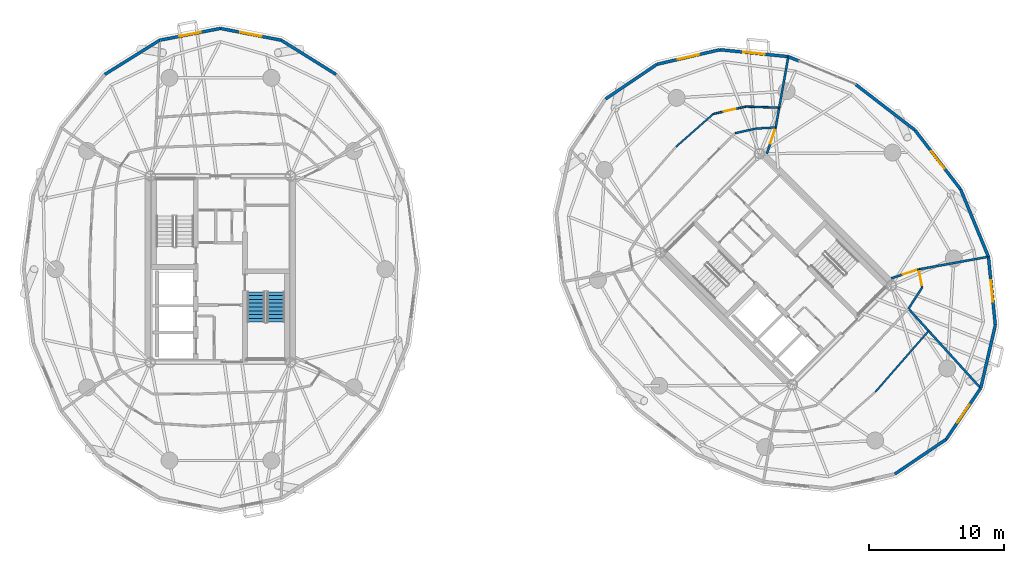
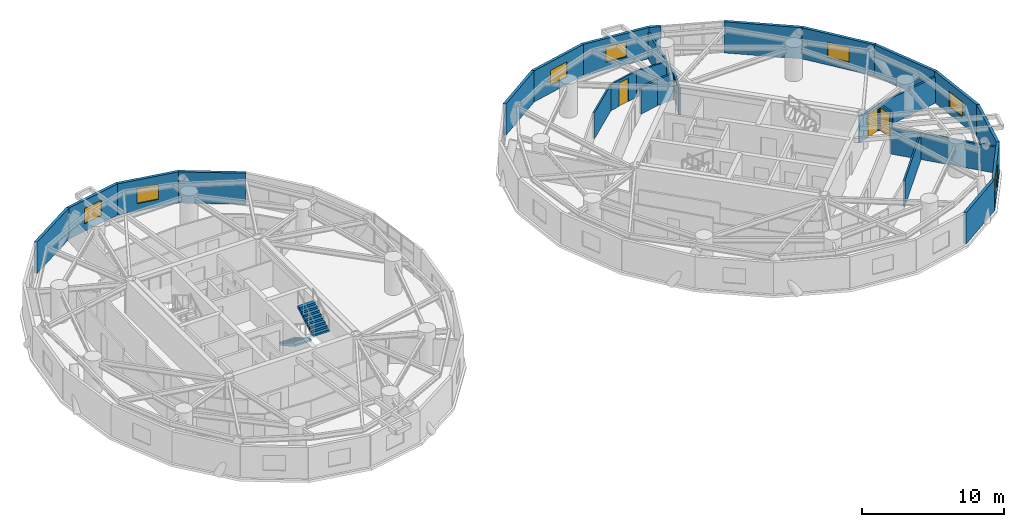
# One storey, part 14 of 17: 28 walls, 7 windows, 4 doors, 2 stair flights, 11 openings, 1 element without a shape of its own.
"""IFC4 building model written with IfcOpenShell, lengths in metres."""

from ifc_helpers import new_model, si_unit, direction, frame, frame_2d, origin, place, context, subcontext, project, spatial, polyline, rectangle, outline, extrude, source, transform, mapped, material, layer, layer_set, type_object, element, fill, aggregate, save


model = new_model("IFC4")

# Units and contexts
model_context = context("Model", 3, precision=1e-05, world=origin(), true_north=direction((0.0, 1.0)))
body_context = subcontext(model_context, "Body", "Model", "MODEL_VIEW")
ifc_project = project(units=[si_unit("LENGTHUNIT", "METRE"), si_unit("AREAUNIT", "SQUARE_METRE"), si_unit("VOLUMEUNIT", "CUBIC_METRE"), si_unit("PLANEANGLEUNIT", "RADIAN"), si_unit("MASSUNIT", "GRAM", prefix="KILO")], contexts=[model_context])

# Site, building, storey
site_placement = place(None, origin())
site = spatial("IfcSite", under=ifc_project, at=site_placement, CompositionType="ELEMENT")
building_placement = place(site_placement, origin())
building = spatial("IfcBuilding", under=site, at=building_placement, Name="Cununo Teusaquillo Station Towers", CompositionType="ELEMENT")
storey_placement = place(building_placement, frame((0.0, 0.0, 166.14990234375)))
storey = spatial("IfcBuildingStorey", under=building, at=storey_placement, Name="L52", CompositionType="ELEMENT", Elevation=166.14990234375)

# Wall
ifc_material_1 = material(Name="Precast concrete C40/50", Category="concrete")
ifc_layer_1 = layer(ifc_material_1, 0.219970703125)
ifc_layer_set_1 = layer_set([ifc_layer_1], Name="Precast concrete C40/50")
wall_type_1 = type_object("IfcWallType", Name="WL-EXT-220", PredefinedType="SOLIDWALL", material=ifc_layer_set_1)
wall_1_placement = place(storey_placement, frame((20.9853515625, 41.400390625, 0.0), z_axis=(0.0, 0.0, 1.0), x_axis=(0.848452391194, -0.529271707044, 0.0)))
element("IfcWall", 1, at=wall_1_placement, inside=storey, type_object=wall_type_1, Name="L52 Tower A Exterior Facade Wall C03", PredefinedType="SOLIDWALL", context=body_context, shape_type="SweptSolid", body=[
    extrude(rectangle(XDim=4.76904296875, YDim=0.219970703125, at=frame_2d((2.384521484375, 0.0))), origin(), (0.0, 0.0, 1.0), 2.675048828125),
])

# Wall, opening, window
wall_2_placement = place(storey_placement, frame((16.5, 42.27001953125, 0.0), z_axis=(0.0, 0.0, 1.0), x_axis=(0.981718699963, -0.190337579429, 0.0)))
wall_2 = element("IfcWall", 2, at=wall_2_placement, inside=storey, type_object=wall_type_1, Name="L52 Tower A Exterior Facade Wall C04", PredefinedType="SOLIDWALL", context=body_context, shape_type="SweptSolid", body=[
    extrude(rectangle(XDim=4.56884765625, YDim=0.219970703125, at=frame_2d((2.284423828125, 0.0))), origin(), (0.0, 0.0, 1.0), 2.675048828125),
])
shared_shape_1 = source(origin(), body_context, "Body", "SweptSolid", [
    extrude(rectangle(XDim=1.60009765625, YDim=1.300048828125, at=frame_2d((0.800048828125, 0.64990234375))), frame((0.0, 0.119873046875, 0.0), z_axis=(0.0, -1.0, 0.0), x_axis=(1.0, 0.0, 0.0)), (0.0, 0.0, 1.0), 0.239990234375),
])
opening_1_placement = place(wall_2_placement, frame((1.48388671875, 0.0, 0.64990234375)))
opening_1 = element("IfcOpeningElement", 3, at=opening_1_placement, cuts=wall_2, Name="Opening WN-03", PredefinedType="OPENING", context=body_context, shape_type="MappedRepresentation", body=[
    mapped(shared_shape_1, transform((0.0, 0.0, 0.0), x_axis=(1.0, 0.0, 0.0), y_axis=(0.0, 1.0, 0.0), z_axis=(0.0, 0.0, 1.0), scale=1.0)),
])
ifc_material_2 = material(Name="Ceramic-fritted dark low-E double glazing", Category="glass")
window_type = type_object("IfcWindowType", Name="WIN-CORN-1600", PartitioningType="SINGLE_PANEL", PredefinedType="WINDOW", material=ifc_material_2)
shared_shape_2 = source(origin(), body_context, "Body", "SweptSolid", [
    extrude(rectangle(XDim=1.60009765625, YDim=1.300048828125, at=frame_2d((0.800048828125, 0.64990234375))), frame((0.0, 0.030029296875, 0.0), z_axis=(0.0, -1.0, 0.0), x_axis=(1.0, 0.0, 0.0)), (0.0, 0.0, 1.0), 0.06005859375),
])
window_1_placement = place(opening_1_placement, origin())
window_1 = element("IfcWindow", 4, at=window_1_placement, inside=storey, type_object=window_type, Name="L52 Tower A Facade Window C04", OverallHeight=1.300048828125, OverallWidth=1.60009765625, PartitioningType="SINGLE_PANEL", PredefinedType="WINDOW", context=body_context, shape_type="MappedRepresentation", body=[
    mapped(shared_shape_2, transform((0.0, 0.0, 0.0), x_axis=(1.0, 0.0, 0.0), y_axis=(0.0, 1.0, 0.0), z_axis=(0.0, 0.0, 1.0), scale=1.0)),
])
fill(opening_1, window_1)

wall_3_placement = place(storey_placement, frame((12.0146484375, 41.400390625, 0.0), z_axis=(0.0, 0.0, 1.0), x_axis=(0.981718699963, 0.190337579429, 0.0)))
wall_3 = element("IfcWall", 5, at=wall_3_placement, inside=storey, type_object=wall_type_1, Name="L52 Tower A Exterior Facade Wall C05", PredefinedType="SOLIDWALL", context=body_context, shape_type="SweptSolid", body=[
    extrude(rectangle(XDim=4.56884765625, YDim=0.219970703125, at=frame_2d((2.284423828125, 0.0))), origin(), (0.0, 0.0, 1.0), 2.675048828125),
])
opening_2_placement = place(wall_3_placement, frame((1.48388671875, 0.0, 0.64990234375)))
opening_2 = element("IfcOpeningElement", 6, at=opening_2_placement, cuts=wall_3, Name="Opening WN-03", PredefinedType="OPENING", context=body_context, shape_type="MappedRepresentation", body=[
    mapped(shared_shape_1, transform((0.0, 0.0, 0.0), x_axis=(1.0, 0.0, 0.0), y_axis=(0.0, 1.0, 0.0), z_axis=(0.0, 0.0, 1.0), scale=1.0)),
])
window_2_placement = place(opening_2_placement, origin())
window_2 = element("IfcWindow", 7, at=window_2_placement, inside=storey, type_object=window_type, Name="L52 Tower A Facade Window C05", OverallHeight=1.300048828125, OverallWidth=1.60009765625, PartitioningType="SINGLE_PANEL", PredefinedType="WINDOW", context=body_context, shape_type="MappedRepresentation", body=[
    mapped(shared_shape_2, transform((0.0, 0.0, 0.0), x_axis=(1.0, 0.0, 0.0), y_axis=(0.0, 1.0, 0.0), z_axis=(0.0, 0.0, 1.0), scale=1.0)),
])
fill(opening_2, window_2)

# Walls
wall_4_placement = place(storey_placement, frame((7.96826171875, 38.876220703125, 0.0), z_axis=(0.0, 0.0, 1.0), x_axis=(0.848452391194, 0.529271707044, 0.0)))
element("IfcWall", 8, at=wall_4_placement, inside=storey, type_object=wall_type_1, Name="L52 Tower A Exterior Facade Wall C06", PredefinedType="SOLIDWALL", context=body_context, shape_type="SweptSolid", body=[
    extrude(rectangle(XDim=4.76904296875, YDim=0.219970703125, at=frame_2d((2.384521484375, 0.0))), origin(), (0.0, 0.0, 1.0), 2.675048828125),
])
wall_5_placement = place(storey_placement, frame((63.37841796875, 38.144287109375, 0.0), z_axis=(0.0, 0.0, 1.0), x_axis=(0.791982658323, -0.610543584779, 0.0)))
element("IfcWall", 9, at=wall_5_placement, inside=storey, type_object=wall_type_1, Name="L52 Tower B Exterior Facade Wall C00", PredefinedType="SOLIDWALL", context=body_context, shape_type="SweptSolid", body=[
    extrude(rectangle(XDim=5.537109375, YDim=0.219970703125, at=frame_2d((2.7685546875, 0.0))), origin(), (0.0, 0.0, 1.0), 2.675048828125),
])
wall_6_placement = place(storey_placement, frame((58.417724609375, 40.189208984375, 0.0), z_axis=(0.0, 0.0, 1.0), x_axis=(0.924556017656, -0.381046152345, 0.0)))
element("IfcWall", 10, at=wall_6_placement, inside=storey, type_object=wall_type_1, Name="L52 Tower B Column Pier Cladding Wall C01-PA", PredefinedType="SOLIDWALL", context=body_context, shape_type="SweptSolid", body=[
    extrude(rectangle(XDim=0.8701171875, YDim=0.219970703125, at=frame_2d((0.43505859375, 0.0))), origin(), (0.0, 0.0, 1.0), 2.675048828125),
])

# Wall, opening, window
wall_7_placement = place(storey_placement, frame((53.3671875, 40.6982421875, 0.0), z_axis=(0.0, 0.0, 1.0), x_axis=(0.994959267396, -0.100279889424, 0.0)))
wall_7 = element("IfcWall", 11, at=wall_7_placement, inside=storey, type_object=wall_type_1, Name="L52 Tower B Exterior Facade Wall C02", PredefinedType="SOLIDWALL", context=body_context, shape_type="SweptSolid", body=[
    extrude(rectangle(XDim=5.076171875, YDim=0.219970703125, at=frame_2d((2.5380859375, 0.0))), origin(), (0.0, 0.0, 1.0), 2.675048828125),
])
opening_3_placement = place(wall_7_placement, frame((1.738037109375, 0.0, 0.64990234375)))
opening_3 = element("IfcOpeningElement", 12, at=opening_3_placement, cuts=wall_7, Name="Opening WN-03", PredefinedType="OPENING", context=body_context, shape_type="MappedRepresentation", body=[
    mapped(shared_shape_1, transform((0.0, 0.0, 0.0), x_axis=(1.0, 0.0, 0.0), y_axis=(0.0, 1.0, 0.0), z_axis=(0.0, 0.0, 1.0), scale=1.0)),
])
window_3_placement = place(opening_3_placement, origin())
window_3 = element("IfcWindow", 13, at=window_3_placement, inside=storey, type_object=window_type, Name="L52 Tower B Facade Window C02", OverallHeight=1.300048828125, OverallWidth=1.60009765625, PartitioningType="SINGLE_PANEL", PredefinedType="WINDOW", context=body_context, shape_type="MappedRepresentation", body=[
    mapped(shared_shape_2, transform((0.0, 0.0, 0.0), x_axis=(1.0, 0.0, 0.0), y_axis=(0.0, 1.0, 0.0), z_axis=(0.0, 0.0, 1.0), scale=1.0)),
])
fill(opening_3, window_3)

wall_8_placement = place(storey_placement, frame((48.72119140625, 39.6220703125, 0.0), z_axis=(0.0, 0.0, 1.0), x_axis=(0.974206226622, 0.225659540039, 0.0)))
wall_8 = element("IfcWall", 14, at=wall_8_placement, inside=storey, type_object=wall_type_1, Name="L52 Tower B Exterior Facade Wall C03", PredefinedType="SOLIDWALL", context=body_context, shape_type="SweptSolid", body=[
    extrude(rectangle(XDim=4.76904296875, YDim=0.219970703125, at=frame_2d((2.384521484375, 0.0))), origin(), (0.0, 0.0, 1.0), 2.675048828125),
])
opening_4_placement = place(wall_8_placement, frame((1.5849609375, 0.0, 0.64990234375)))
opening_4 = element("IfcOpeningElement", 15, at=opening_4_placement, cuts=wall_8, Name="Opening WN-03", PredefinedType="OPENING", context=body_context, shape_type="MappedRepresentation", body=[
    mapped(shared_shape_1, transform((0.0, 0.0, 0.0), x_axis=(1.0, 0.0, 0.0), y_axis=(0.0, 1.0, 0.0), z_axis=(0.0, 0.0, 1.0), scale=1.0)),
])
window_4_placement = place(opening_4_placement, origin())
window_4 = element("IfcWindow", 16, at=window_4_placement, inside=storey, type_object=window_type, Name="L52 Tower B Facade Window C03", OverallHeight=1.300048828125, OverallWidth=1.60009765625, PartitioningType="SINGLE_PANEL", PredefinedType="WINDOW", context=body_context, shape_type="MappedRepresentation", body=[
    mapped(shared_shape_2, transform((0.0, 0.0, 0.0), x_axis=(1.0, 0.0, 0.0), y_axis=(0.0, 1.0, 0.0), z_axis=(0.0, 0.0, 1.0), scale=1.0)),
])
fill(opening_4, window_4)

# Walls
for number, where, z_axis, x_axis, name in (
    (17, (44.934814453125, 37.065185546875, 0.0), (0.0, 0.0, 1.0), (0.828739009952, 0.559635286042, 0.0), "L52 Tower B Exterior Facade Wall C04"),
    (18, (70.065185546875, 11.934814453125, 0.0), (0.0, 0.0, 1.0), (-0.828739009952, -0.559635286042, 0.0), "L52 Tower B Exterior Facade Wall C14"),
):
    element("IfcWall", number, at=place(storey_placement, frame(where, z_axis=z_axis, x_axis=x_axis)), inside=storey, type_object=wall_type_1, Name=name, PredefinedType="SOLIDWALL", context=body_context, shape_type="SweptSolid", body=[
        extrude(rectangle(XDim=4.56884765625, YDim=0.219970703125, at=frame_2d((2.284423828125, 0.0))), origin(), (0.0, 0.0, 1.0), 2.675048828125),
    ])

# Wall, opening, window
wall_9_placement = place(storey_placement, frame((72.6220703125, 15.72119140625, 0.0), z_axis=(0.0, 0.0, 1.0), x_axis=(-0.559635286042, -0.828739009952, 0.0)))
wall_9 = element("IfcWall", 19, at=wall_9_placement, inside=storey, type_object=wall_type_1, Name="L52 Tower B Exterior Facade Wall C15", PredefinedType="SOLIDWALL", context=body_context, shape_type="SweptSolid", body=[
    extrude(rectangle(XDim=4.56884765625, YDim=0.219970703125, at=frame_2d((2.284423828125, 0.0))), origin(), (0.0, 0.0, 1.0), 2.675048828125),
])
opening_5_placement = place(wall_9_placement, frame((1.48388671875, 0.0, 0.64990234375)))
opening_5 = element("IfcOpeningElement", 20, at=opening_5_placement, cuts=wall_9, Name="Opening WN-03", PredefinedType="OPENING", context=body_context, shape_type="MappedRepresentation", body=[
    mapped(shared_shape_1, transform((0.0, 0.0, 0.0), x_axis=(1.0, 0.0, 0.0), y_axis=(0.0, 1.0, 0.0), z_axis=(0.0, 0.0, 1.0), scale=1.0)),
])
window_5_placement = place(opening_5_placement, origin())
window_5 = element("IfcWindow", 21, at=window_5_placement, inside=storey, type_object=window_type, Name="L52 Tower B Facade Window C15", OverallHeight=1.300048828125, OverallWidth=1.60009765625, PartitioningType="SINGLE_PANEL", PredefinedType="WINDOW", context=body_context, shape_type="MappedRepresentation", body=[
    mapped(shared_shape_2, transform((0.0, 0.0, 0.0), x_axis=(1.0, 0.0, 0.0), y_axis=(0.0, 1.0, 0.0), z_axis=(0.0, 0.0, 1.0), scale=1.0)),
])
fill(opening_5, window_5)

# Wall
wall_10_placement = place(storey_placement, frame((73.6982421875, 20.3671875, 0.0), z_axis=(0.0, 0.0, 1.0), x_axis=(-0.225659540039, -0.974206226622, 0.0)))
element("IfcWall", 22, at=wall_10_placement, inside=storey, type_object=wall_type_1, Name="L52 Tower B Exterior Facade Wall C16", PredefinedType="SOLIDWALL", context=body_context, shape_type="SweptSolid", body=[
    extrude(rectangle(XDim=4.76904296875, YDim=0.219970703125, at=frame_2d((2.384521484375, 0.0))), origin(), (0.0, 0.0, 1.0), 2.675048828125),
])

# Wall, opening, window
wall_11_placement = place(storey_placement, frame((73.189208984375, 25.417724609375, 0.0), z_axis=(0.0, 0.0, 1.0), x_axis=(0.100279889424, -0.994959267396, 0.0)))
wall_11 = element("IfcWall", 23, at=wall_11_placement, inside=storey, type_object=wall_type_1, Name="L52 Tower B Exterior Facade Wall C17", PredefinedType="SOLIDWALL", context=body_context, shape_type="SweptSolid", body=[
    extrude(rectangle(XDim=5.076171875, YDim=0.219970703125, at=frame_2d((2.5380859375, 0.0))), origin(), (0.0, 0.0, 1.0), 2.675048828125),
])
opening_6_placement = place(wall_11_placement, frame((1.738037109375, 0.0, 0.64990234375)))
opening_6 = element("IfcOpeningElement", 24, at=opening_6_placement, cuts=wall_11, Name="Opening WN-03", PredefinedType="OPENING", context=body_context, shape_type="MappedRepresentation", body=[
    mapped(shared_shape_1, transform((0.0, 0.0, 0.0), x_axis=(1.0, 0.0, 0.0), y_axis=(0.0, 1.0, 0.0), z_axis=(0.0, 0.0, 1.0), scale=1.0)),
])
window_6_placement = place(opening_6_placement, origin())
window_6 = element("IfcWindow", 25, at=window_6_placement, inside=storey, type_object=window_type, Name="L52 Tower B Facade Window C17", OverallHeight=1.300048828125, OverallWidth=1.60009765625, PartitioningType="SINGLE_PANEL", PredefinedType="WINDOW", context=body_context, shape_type="MappedRepresentation", body=[
    mapped(shared_shape_2, transform((0.0, 0.0, 0.0), x_axis=(1.0, 0.0, 0.0), y_axis=(0.0, 1.0, 0.0), z_axis=(0.0, 0.0, 1.0), scale=1.0)),
])
fill(opening_6, window_6)

# Wall
wall_12_placement = place(storey_placement, frame((71.144287109375, 30.37841796875, 0.0), z_axis=(0.0, 0.0, 1.0), x_axis=(0.38111364655, -0.924528197738, 0.0)))
element("IfcWall", 26, at=wall_12_placement, inside=storey, type_object=wall_type_1, Name="L52 Tower B Exterior Facade Wall C18", PredefinedType="SOLIDWALL", context=body_context, shape_type="SweptSolid", body=[
    extrude(rectangle(XDim=5.36572265625, YDim=0.219970703125, at=frame_2d((2.682861328125, 0.0))), origin(), (0.0, 0.0, 1.0), 2.675048828125),
])

# Wall, opening, window
wall_13_placement = place(storey_placement, frame((67.763671875, 34.763671875, 0.0), z_axis=(0.0, 0.0, 1.0), x_axis=(0.610543584779, -0.791982658323, 0.0)))
wall_13 = element("IfcWall", 27, at=wall_13_placement, inside=storey, type_object=wall_type_1, Name="L52 Tower B Exterior Facade Wall C19", PredefinedType="SOLIDWALL", context=body_context, shape_type="SweptSolid", body=[
    extrude(rectangle(XDim=5.537109375, YDim=0.219970703125, at=frame_2d((2.7685546875, 0.0))), origin(), (0.0, 0.0, 1.0), 2.675048828125),
])
opening_7_placement = place(wall_13_placement, frame((1.968017578125, 0.0, 0.64990234375)))
opening_7 = element("IfcOpeningElement", 28, at=opening_7_placement, cuts=wall_13, Name="Opening WN-03", PredefinedType="OPENING", context=body_context, shape_type="MappedRepresentation", body=[
    mapped(shared_shape_1, transform((0.0, 0.0, 0.0), x_axis=(1.0, 0.0, 0.0), y_axis=(0.0, 1.0, 0.0), z_axis=(0.0, 0.0, 1.0), scale=1.0)),
])
window_7_placement = place(opening_7_placement, origin())
window_7 = element("IfcWindow", 29, at=window_7_placement, inside=storey, type_object=window_type, Name="L52 Tower B Facade Window C19", OverallHeight=1.300048828125, OverallWidth=1.60009765625, PartitioningType="SINGLE_PANEL", PredefinedType="WINDOW", context=body_context, shape_type="MappedRepresentation", body=[
    mapped(shared_shape_2, transform((0.0, 0.0, 0.0), x_axis=(1.0, 0.0, 0.0), y_axis=(0.0, 1.0, 0.0), z_axis=(0.0, 0.0, 1.0), scale=1.0)),
])
fill(opening_7, window_7)

# Wall
ifc_material_3 = material(Name="Fire-rated gypsum plasterboard partition assembly", Category="gypsum")
ifc_layer_2 = layer(ifc_material_3, 0.125)
ifc_layer_set_2 = layer_set([ifc_layer_2], Name="Fire-rated gypsum plasterboard partition assembly")
wall_type_2 = type_object("IfcWallType", Name="WL-PART-125", PredefinedType="PARTITIONING", material=ifc_layer_set_2)
wall_14_placement = place(storey_placement, frame((57.746337890625, 36.4189453125, 0.0), z_axis=(0.0, 0.0, 1.0), x_axis=(-0.999409872703, 0.03434976484, 0.0)))
element("IfcWall", 30, at=wall_14_placement, inside=storey, type_object=wall_type_2, Name="L52 Tower B High-Zone Club Reading & Dining Hall Concentric Partition Wall C02", PredefinedType="PARTITIONING", context=body_context, shape_type="SweptSolid", body=[
    extrude(rectangle(XDim=2.46630859375, YDim=0.125, at=frame_2d((1.233154296875, 0.0))), origin(), (0.0, 0.0, 1.0), 2.2451171875),
])

# Wall, opening, door
wall_15_placement = place(storey_placement, frame((55.281494140625, 36.503662109375, 0.0), z_axis=(0.0, 0.0, 1.0), x_axis=(-0.974908832019, -0.222604513096, 0.0)))
wall_15 = element("IfcWall", 31, at=wall_15_placement, inside=storey, type_object=wall_type_2, Name="L52 Tower B High-Zone Club Reading & Dining Hall Concentric Partition Wall C03", PredefinedType="PARTITIONING", context=body_context, shape_type="SweptSolid", body=[
    extrude(rectangle(XDim=2.4677734375, YDim=0.125, at=frame_2d((1.23388671875, 0.0))), origin(), (0.0, 0.0, 1.0), 2.2451171875),
])
shared_shape_3 = source(origin(), body_context, "Body", "SweptSolid", [
    extrude(rectangle(XDim=0.89990234375, YDim=2.0048828125, at=frame_2d((0.449951171875, 1.00244140625))), frame((0.0, 0.072509765625, 0.0), z_axis=(0.0, -1.0, 0.0), x_axis=(1.0, 0.0, 0.0)), (0.0, 0.0, 1.0), 0.14501953125),
])
opening_8_placement = place(wall_15_placement, frame((0.783935546875, 0.0, 0.0)))
opening_8 = element("IfcOpeningElement", 32, at=opening_8_placement, cuts=wall_15, Name="Opening D-IN1", PredefinedType="OPENING", context=body_context, shape_type="MappedRepresentation", body=[
    mapped(shared_shape_3, transform((0.0, 0.0, 0.0), x_axis=(1.0, 0.0, 0.0), y_axis=(0.0, 1.0, 0.0), z_axis=(0.0, 0.0, 1.0), scale=1.0)),
])
ifc_material_4 = material(Name="Acoustic solid-core hardwood leaf assembly", Category="wood")
door_type_1 = type_object("IfcDoorType", Name="DR-INT-900", OperationType="NOTDEFINED", PredefinedType="DOOR", material=ifc_material_4)
shared_shape_4 = source(origin(), body_context, "Body", "SweptSolid", [
    extrude(rectangle(XDim=0.89990234375, YDim=2.0048828125, at=frame_2d((0.449951171875, 1.00244140625))), frame((0.0, 0.02490234375, 0.0), z_axis=(0.0, -1.0, 0.0), x_axis=(1.0, 0.0, 0.0)), (0.0, 0.0, 1.0), 0.050048828125),
])
door_1_placement = place(opening_8_placement, origin())
door_1 = element("IfcDoor", 33, at=door_1_placement, inside=storey, type_object=door_type_1, Name="L52 Tower B High-Zone Club Reading & Dining Hall Connecting Door", OperationType="SINGLE_SWING_LEFT", OverallHeight=2.0048828125, OverallWidth=0.89990234375, PredefinedType="DOOR", context=body_context, shape_type="MappedRepresentation", body=[
    mapped(shared_shape_4, transform((0.0, 0.0, 0.0), x_axis=(1.0, 0.0, 0.0), y_axis=(0.0, 1.0, 0.0), z_axis=(0.0, 0.0, 1.0), scale=1.0)),
])
fill(opening_8, door_1)

# Walls
wall_16_placement = place(storey_placement, frame((52.875732421875, 35.954345703125, 0.0), z_axis=(0.0, 0.0, 1.0), x_axis=(-0.750317340408, -0.661077823469, 0.0)))
element("IfcWall", 34, at=wall_16_placement, inside=storey, type_object=wall_type_2, Name="L52 Tower B High-Zone Club Reading & Dining Hall Concentric Partition Wall C04", PredefinedType="PARTITIONING", context=body_context, shape_type="SweptSolid", body=[
    extrude(rectangle(XDim=3.668701171875, YDim=0.125, at=frame_2d((1.83447265625, 0.0))), origin(), (0.0, 0.0, 1.0), 2.2451171875),
])
wall_17_placement = place(storey_placement, frame((64.838623046875, 15.4326171875, 0.0), z_axis=(0.0, 0.0, 1.0), x_axis=(0.657505208165, 0.753449999161, 0.0)))
element("IfcWall", 35, at=wall_17_placement, inside=storey, type_object=wall_type_2, Name="L52 Tower B Cordillera Executive Conference Salon Concentric Partition Wall C15", PredefinedType="PARTITIONING", context=body_context, shape_type="SweptSolid", body=[
    extrude(rectangle(XDim=5.987548828125, YDim=0.125, at=frame_2d((2.99365234375, 0.0))), origin(), (0.0, 0.0, 1.0), 2.2451171875),
])
ifc_material_5 = material(Name="Fire-rated gypsum plasterboard partition assembly", Category="gypsum")
ifc_layer_3 = layer(ifc_material_5, 0.14990234375)
ifc_layer_set_3 = layer_set([ifc_layer_3], Name="Fire-rated gypsum plasterboard partition assembly")
wall_type_3 = type_object("IfcWallType", Name="WL-PART-150", PredefinedType="PARTITIONING", material=ifc_layer_set_3)
wall_18_placement = place(storey_placement, frame((57.486328125, 34.96044921875, 0.0), z_axis=(0.0, 0.0, 1.0), x_axis=(-0.998483871836, -0.055045051404, 0.0)))
element("IfcWall", 36, at=wall_18_placement, inside=storey, type_object=wall_type_3, Name="L52 Tower B Corridor Ring Wall C02", PredefinedType="PARTITIONING", context=body_context, shape_type="SweptSolid", body=[
    extrude(rectangle(XDim=1.463623046875, YDim=0.14990234375, at=frame_2d((0.73193359375, 0.0))), origin(), (0.0, 0.0, 1.0), 2.2451171875),
])
wall_19_placement = place(storey_placement, frame((56.02490234375, 34.8798828125, 0.0), z_axis=(0.0, 0.0, 1.0), x_axis=(-0.975729093394, -0.218981132301, 0.0)))
element("IfcWall", 37, at=wall_19_placement, inside=storey, type_object=wall_type_3, Name="L52 Tower B Corridor Ring Wall C03", PredefinedType="PARTITIONING", context=body_context, shape_type="SweptSolid", body=[
    extrude(rectangle(XDim=1.575439453125, YDim=0.14990234375, at=frame_2d((0.78759765625, 0.0))), origin(), (0.0, 0.0, 1.0), 2.2451171875),
])
wall_20_placement = place(storey_placement, frame((67.28662109375, 21.582275390625, 0.0), z_axis=(0.0, 0.0, 1.0), x_axis=(0.543202443884, 0.839601753785, 0.0)))
element("IfcWall", 38, at=wall_20_placement, inside=storey, type_object=wall_type_3, Name="L52 Tower B Corridor Ring Wall C16", PredefinedType="PARTITIONING", context=body_context, shape_type="SweptSolid", body=[
    extrude(rectangle(XDim=1.86572265625, YDim=0.14990234375, at=frame_2d((0.932861328125, 0.0))), origin(), (0.0, 0.0, 1.0), 2.2451171875),
])

# Wall, opening, door
wall_21_placement = place(storey_placement, frame((68.300048828125, 23.148681640625, 0.0), z_axis=(0.0, 0.0, 1.0), x_axis=(-0.176423554694, 0.984314344785, 0.0)))
wall_21 = element("IfcWall", 39, at=wall_21_placement, inside=storey, type_object=wall_type_3, Name="L52 Tower B Corridor Ring Wall C17", PredefinedType="PARTITIONING", context=body_context, shape_type="SweptSolid", body=[
    extrude(rectangle(XDim=1.361572265625, YDim=0.14990234375, at=frame_2d((0.6806640625, 0.0))), origin(), (0.0, 0.0, 1.0), 2.2451171875),
])
shared_shape_5 = source(origin(), body_context, "Body", "SweptSolid", [
    extrude(rectangle(XDim=1.050048828125, YDim=2.014892578125, at=frame_2d((0.52490234375, 1.00732421875))), frame((0.0, 0.0849609375, 0.0), z_axis=(0.0, -1.0, 0.0), x_axis=(1.0, 0.0, 0.0)), (0.0, 0.0, 1.0), 0.169921875),
])
opening_9_placement = place(wall_21_placement, frame((0.156005859375, 0.0, 0.0)))
opening_9 = element("IfcOpeningElement", 40, at=opening_9_placement, cuts=wall_21, Name="Opening D-SU1", PredefinedType="OPENING", context=body_context, shape_type="MappedRepresentation", body=[
    mapped(shared_shape_5, transform((0.0, 0.0, 0.0), x_axis=(1.0, 0.0, 0.0), y_axis=(0.0, 1.0, 0.0), z_axis=(0.0, 0.0, 1.0), scale=1.0)),
])
ifc_material_6 = material(Name="Acoustic solid-core hardwood leaf assembly", Category="wood")
door_type_2 = type_object("IfcDoorType", Name="DR-SUITE-1050", OperationType="NOTDEFINED", PredefinedType="DOOR", material=ifc_material_6)
shared_shape_6 = source(origin(), body_context, "Body", "SweptSolid", [
    extrude(rectangle(XDim=1.050048828125, YDim=2.014892578125, at=frame_2d((0.52490234375, 1.00732421875))), frame((0.0, 0.02490234375, 0.0), z_axis=(0.0, -1.0, 0.0), x_axis=(1.0, 0.0, 0.0)), (0.0, 0.0, 1.0), 0.050048828125),
])
door_2_placement = place(opening_9_placement, origin())
door_2 = element("IfcDoor", 41, at=door_2_placement, inside=storey, type_object=door_type_2, Name="L52 Tower B Hotel Housekeeping & Linen Pantry Entrance Door", OperationType="SINGLE_SWING_LEFT", OverallHeight=2.014892578125, OverallWidth=1.050048828125, PredefinedType="DOOR", context=body_context, shape_type="MappedRepresentation", body=[
    mapped(shared_shape_6, transform((0.0, 0.0, 0.0), x_axis=(1.0, 0.0, 0.0), y_axis=(0.0, 1.0, 0.0), z_axis=(0.0, 0.0, 1.0), scale=1.0)),
])
fill(opening_9, door_2)

# Walls
ifc_material_7 = material(Name="Fire-rated gypsum plasterboard partition assembly", Category="gypsum")
ifc_layer_4 = layer(ifc_material_7, 0.159912109375)
ifc_layer_set_4 = layer_set([ifc_layer_4], Name="Fire-rated gypsum plasterboard partition assembly")
wall_type_4 = type_object("IfcWallType", Name="WL-PART-160", PredefinedType="PARTITIONING", material=ifc_layer_set_4)
wall_22_placement = place(storey_placement, frame((57.486328125, 34.96044921875, 0.0), z_axis=(0.0, 0.0, 1.0), x_axis=(0.175432895983, 0.984491391027, 0.0)))
element("IfcWall", 42, at=wall_22_placement, inside=storey, type_object=wall_type_4, Name="L52 Tower B Radial Suite Partition R01", PredefinedType="PARTITIONING", context=body_context, shape_type="SweptSolid", body=[
    extrude(rectangle(XDim=5.291015625, YDim=0.159912109375, at=frame_2d((2.6455078125, 0.0))), origin(), (0.0, 0.0, 1.0), 2.2451171875),
])
wall_23_placement = place(storey_placement, frame((67.28662109375, 21.582275390625, 0.0), z_axis=(0.0, 0.0, 1.0), x_axis=(0.672520632772, -0.740078373212, 0.0)))
element("IfcWall", 43, at=wall_23_placement, inside=storey, type_object=wall_type_4, Name="L52 Tower B Radial Suite Partition R05", PredefinedType="PARTITIONING", context=body_context, shape_type="SweptSolid", body=[
    extrude(rectangle(XDim=7.906982421875, YDim=0.159912109375, at=frame_2d((3.95361328125, 0.0))), origin(), (0.0, 0.0, 1.0), 2.2451171875),
])
wall_24_placement = place(storey_placement, frame((68.059814453125, 24.489013671875, 0.0), z_axis=(0.0, 0.0, 1.0), x_axis=(0.983987798657, 0.178235832802, 0.0)))
element("IfcWall", 44, at=wall_24_placement, inside=storey, type_object=wall_type_4, Name="L52 Tower B Radial Suite Partition R06", PredefinedType="PARTITIONING", context=body_context, shape_type="SweptSolid", body=[
    extrude(rectangle(XDim=5.19287109375, YDim=0.159912109375, at=frame_2d((2.596435546875, 0.0))), origin(), (0.0, 0.0, 1.0), 2.2451171875),
])

# Wall, opening, door
wall_25_placement = place(storey_placement, frame((56.828125, 33.0205078125, 0.0), z_axis=(0.0, 0.0, 1.0), x_axis=(0.321300161671, 0.94697740528, 0.0)))
wall_25 = element("IfcWall", 45, at=wall_25_placement, inside=storey, type_object=wall_type_4, Name="L52 Tower B East Salon Corridor Portal Wall NE", PredefinedType="PARTITIONING", context=body_context, shape_type="SweptSolid", body=[
    extrude(rectangle(XDim=2.048583984375, YDim=0.159912109375, at=frame_2d((1.0244140625, 0.0))), origin(), (0.0, 0.0, 1.0), 2.2451171875),
])
shared_shape_7 = source(origin(), body_context, "Body", "SweptSolid", [
    extrude(rectangle(XDim=1.050048828125, YDim=2.014892578125, at=frame_2d((0.52490234375, 1.00732421875))), frame((0.0, 0.08984375, 0.0), z_axis=(0.0, -1.0, 0.0), x_axis=(1.0, 0.0, 0.0)), (0.0, 0.0, 1.0), 0.179931640625),
])
opening_10_placement = place(wall_25_placement, frame((0.79833984375, 0.0, 0.0)))
opening_10 = element("IfcOpeningElement", 46, at=opening_10_placement, cuts=wall_25, Name="Opening D-SU1", PredefinedType="OPENING", context=body_context, shape_type="MappedRepresentation", body=[
    mapped(shared_shape_7, transform((0.0, 0.0, 0.0), x_axis=(1.0, 0.0, 0.0), y_axis=(0.0, 1.0, 0.0), z_axis=(0.0, 0.0, 1.0), scale=1.0)),
])
door_3_placement = place(opening_10_placement, origin())
door_3 = element("IfcDoor", 47, at=door_3_placement, inside=storey, type_object=door_type_2, Name="L52 Tower B East Panorama Sky Salon Door NE", OperationType="SINGLE_SWING_RIGHT", OverallHeight=2.014892578125, OverallWidth=1.050048828125, PredefinedType="DOOR", context=body_context, shape_type="MappedRepresentation", body=[
    mapped(shared_shape_6, transform((0.0, 0.0, 0.0), x_axis=(1.0, 0.0, 0.0), y_axis=(0.0, 1.0, 0.0), z_axis=(0.0, 0.0, 1.0), scale=1.0)),
])
fill(opening_10, door_3)

wall_26_placement = place(storey_placement, frame((66.0205078125, 23.828125, 0.0), z_axis=(0.0, 0.0, 1.0), x_axis=(0.951292345965, 0.308290240695, 0.0)))
wall_26 = element("IfcWall", 48, at=wall_26_placement, inside=storey, type_object=wall_type_4, Name="L52 Tower B East Salon Corridor Portal Wall SE", PredefinedType="PARTITIONING", context=body_context, shape_type="SweptSolid", body=[
    extrude(rectangle(XDim=2.143798828125, YDim=0.159912109375, at=frame_2d((1.07177734375, 0.0))), origin(), (0.0, 0.0, 1.0), 2.2451171875),
])
opening_11_placement = place(wall_26_placement, frame((0.893798828125, 0.0, 0.0)))
opening_11 = element("IfcOpeningElement", 49, at=opening_11_placement, cuts=wall_26, Name="Opening D-SU1", PredefinedType="OPENING", context=body_context, shape_type="MappedRepresentation", body=[
    mapped(shared_shape_7, transform((0.0, 0.0, 0.0), x_axis=(1.0, 0.0, 0.0), y_axis=(0.0, 1.0, 0.0), z_axis=(0.0, 0.0, 1.0), scale=1.0)),
])
door_4_placement = place(opening_11_placement, origin())
door_4 = element("IfcDoor", 50, at=door_4_placement, inside=storey, type_object=door_type_2, Name="L52 Tower B East Panorama Sky Salon Door SE", OperationType="SINGLE_SWING_LEFT", OverallHeight=2.014892578125, OverallWidth=1.050048828125, PredefinedType="DOOR", context=body_context, shape_type="MappedRepresentation", body=[
    mapped(shared_shape_6, transform((0.0, 0.0, 0.0), x_axis=(1.0, 0.0, 0.0), y_axis=(0.0, 1.0, 0.0), z_axis=(0.0, 0.0, 1.0), scale=1.0)),
])
fill(opening_11, door_4)

# Stair, stair flights
ifc_material_8 = material(Name="Concrete C50/60", Category="concrete")
stair_type = type_object("IfcStairType", Name="ST-TWR-1300", PredefinedType="HALF_TURN_STAIR", material=ifc_material_8)
stair_placement = place(storey_placement, origin())
stair = element("IfcStair", 51, at=stair_placement, inside=storey, type_object=stair_type, Name="L52 Tower A Protected Core Exit Stair 2", PredefinedType="HALF_TURN_STAIR")
ifc_material_9 = material(Name="Concrete C50/60", Category="concrete")
stair_flight_type = type_object("IfcStairFlightType", Name="SFL-TWR-1300", PredefinedType="STRAIGHT", material=ifc_material_9)
stair_flight_1_placement = place(storey_placement, frame((19.1298828125, 22.830078125, 0.0), z_axis=(0.0, 0.0, 1.0), x_axis=(0.0, -1.0, 0.0)))
stair_flight_1 = element("IfcStairFlight", 52, at=stair_flight_1_placement, type_object=stair_flight_type, Name="ST-T1-2 flight 1", NumberOfRisers=9, NumberOfTreads=8, PredefinedType="STRAIGHT", RiserHeight=0.161666667, TreadLength=0.28, context=body_context, shape_type="SweptSolid", body=[
    extrude(outline(polyline([(0.0, 0.0), (0.0, 0.16162109375), (0.280029296875, 0.16162109375), (0.280029296875, 0.3232421875), (0.56005859375, 0.3232421875), (0.56005859375, 0.485107421875), (0.840087890625, 0.485107421875), (0.840087890625, 0.646728515625), (1.1201171875, 0.646728515625), (1.1201171875, 0.808349609375), (1.39990234375, 0.808349609375), (1.39990234375, 0.969970703125), (1.679931640625, 0.969970703125), (1.679931640625, 1.131591796875), (1.9599609375, 1.131591796875), (1.9599609375, 1.293212890625), (2.239990234375, 1.293212890625), (2.239990234375, 1.455078125), (2.239990234375, 1.1201171875), (0.2998046875, 0.0), (0.0, 0.0)])), frame((0.0, 0.64990234375, 0.0), z_axis=(0.0, -1.0, 0.0), x_axis=(1.0, 0.0, 0.0)), (0.0, 0.0, 1.0), 1.300048828125),
])
stair_flight_2_placement = place(storey_placement, frame((20.590087890625, 20.590087890625, 1.455078125), z_axis=(0.0, 0.0, 1.0), x_axis=(0.0, 1.0, 0.0)))
stair_flight_2 = element("IfcStairFlight", 53, at=stair_flight_2_placement, type_object=stair_flight_type, Name="ST-T1-2 flight 2", NumberOfRisers=9, NumberOfTreads=8, PredefinedType="STRAIGHT", RiserHeight=0.161666667, TreadLength=0.28, context=body_context, shape_type="SweptSolid", body=[
    extrude(outline(polyline([(0.0, 0.0), (0.0, 0.16162109375), (0.280029296875, 0.16162109375), (0.280029296875, 0.3232421875), (0.56005859375, 0.3232421875), (0.56005859375, 0.485107421875), (0.840087890625, 0.485107421875), (0.840087890625, 0.646728515625), (1.1201171875, 0.646728515625), (1.1201171875, 0.808349609375), (1.39990234375, 0.808349609375), (1.39990234375, 0.969970703125), (1.679931640625, 0.969970703125), (1.679931640625, 1.131591796875), (1.9599609375, 1.131591796875), (1.9599609375, 1.293212890625), (2.239990234375, 1.293212890625), (2.239990234375, 1.455078125), (2.239990234375, 1.1201171875), (0.2998046875, 0.0), (0.0, 0.0)])), frame((0.0, 0.64990234375, 0.0), z_axis=(0.0, -1.0, 0.0), x_axis=(1.0, 0.0, 0.0)), (0.0, 0.0, 1.0), 1.300048828125),
])
aggregate(stair, [stair_flight_1, stair_flight_2])

save(model, "model.ifc")
